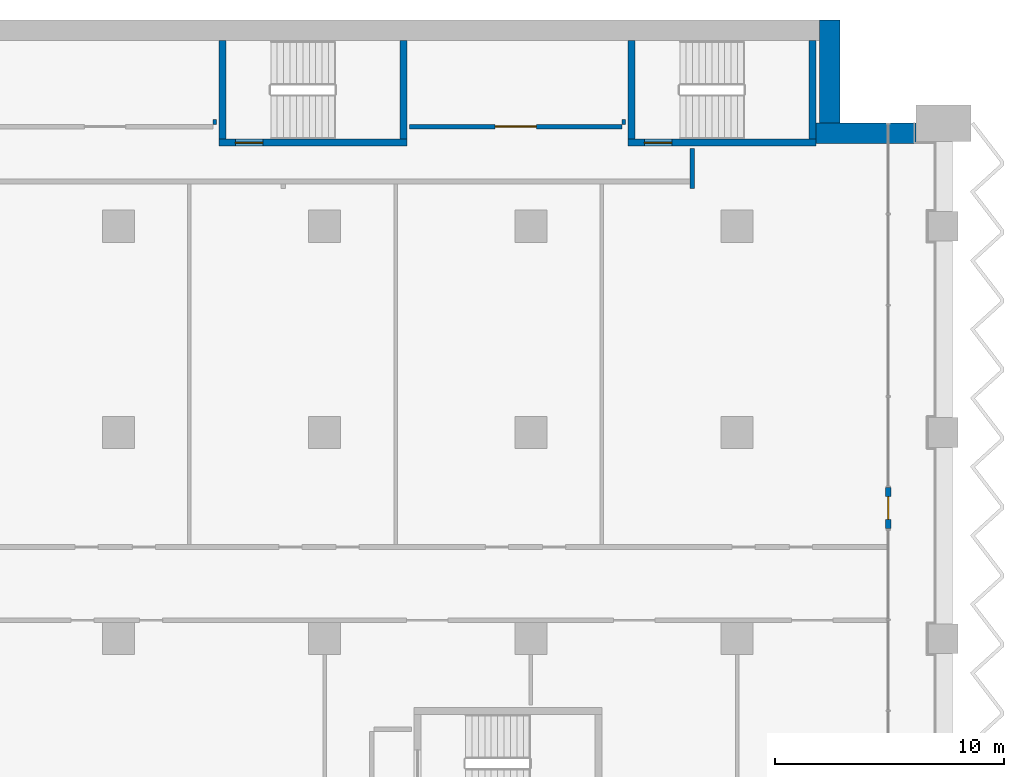
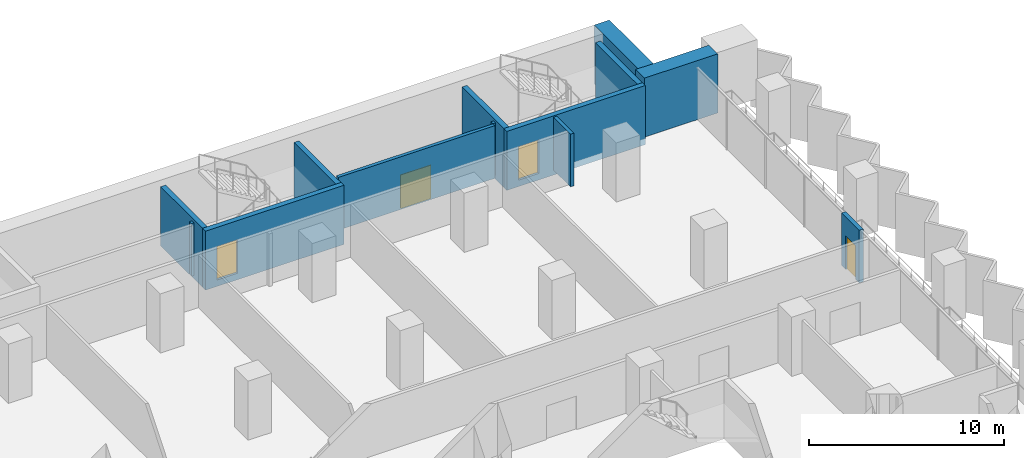
# One storey, part 19 of 29: 13 walls, 4 doors, 4 openings.
"""IFC4 building model written with IfcOpenShell, lengths in metres."""

from ifc_helpers import new_model, si_unit, direction, frame, frame_2d, origin, place, context, subcontext, project, spatial, rectangle, extrude, material, layer, layer_set, type_object, element, fill, save


model = new_model("IFC4")

# Units and contexts
model_context = context("Model", 3, precision=1e-05, world=origin(), true_north=direction((0.0, 1.0)))
body_context = subcontext(model_context, "Body", "Model", "MODEL_VIEW")
ifc_project = project(units=[si_unit("LENGTHUNIT", "METRE"), si_unit("AREAUNIT", "SQUARE_METRE"), si_unit("VOLUMEUNIT", "CUBIC_METRE"), si_unit("PLANEANGLEUNIT", "RADIAN"), si_unit("MASSUNIT", "GRAM", prefix="KILO")], contexts=[model_context])

# Site, building, storey
site_placement = place(None, origin())
site = spatial("IfcSite", under=ifc_project, at=site_placement, CompositionType="ELEMENT")
building_placement = place(site_placement, origin())
building = spatial("IfcBuilding", under=site, at=building_placement, Name="Hunhe Ridgeline Campus", CompositionType="ELEMENT")
storey_placement = place(building_placement, frame((0.0, 0.0, 46.89990234375)))
storey = spatial("IfcBuildingStorey", under=building, at=storey_placement, Name="L10", CompositionType="ELEMENT", Elevation=46.89990234375)

# Wall, opening, door
ifc_material_1 = material(Name="Gypsum board partition")
ifc_layer_1 = layer(ifc_material_1, 0.199951171875)
ifc_layer_set_1 = layer_set([ifc_layer_1], Name="Corridor partition 200 gypsum board on steel studs")
wall_type_1 = type_object("IfcWallType", Name="Corridor partition 200 gypsum board on steel studs", PredefinedType="PARTITIONING", material=ifc_layer_set_1)
wall_1_placement = place(storey_placement, frame((75.7041015625, 94.35009765625, 0.0), z_axis=(0.0, 0.0, 1.0), x_axis=(1.0, 0.0, 0.0)))
wall_1 = element("IfcWall", 1, at=wall_1_placement, inside=storey, type_object=wall_type_1, Name="F-L10-wall-054", PredefinedType="PARTITIONING", context=body_context, shape_type="SweptSolid", body=[
    extrude(rectangle(XDim=9.27099609375, YDim=0.199951171875, at=frame_2d((4.635498046875, 0.0))), origin(), (0.0, 0.0, 1.0), 3.300048828125),
])
opening_1_placement = place(wall_1_placement, frame((3.735595703125, 0.0, 0.0)))
opening_1 = element("IfcOpeningElement", 2, at=opening_1_placement, cuts=wall_1, Name="Opening RD2-049", PredefinedType="OPENING", context=body_context, shape_type="SweptSolid", body=[
    extrude(rectangle(XDim=1.800048828125, YDim=2.10009765625, at=frame_2d((0.89990234375, 1.050048828125))), frame((0.0, 0.10009765625, 0.0), z_axis=(0.0, -1.0, 0.0), x_axis=(1.0, 0.0, 0.0)), (0.0, 0.0, 1.0), 0.199951171875),
])
ifc_material_2 = material(Name="Timber door leaf", Category="wood")
door_type_1 = type_object("IfcDoorType", Name="Double fire door 1800x2100 timber FD60", OperationType="DOUBLE_DOOR_SINGLE_SWING", PredefinedType="DOOR", material=ifc_material_2)
door_1_placement = place(opening_1_placement, origin())
door_1 = element("IfcDoor", 3, at=door_1_placement, inside=storey, type_object=door_type_1, Name="F-L10-door-049", OperationType="DOUBLE_DOOR_SINGLE_SWING", OverallHeight=2.10009765625, OverallWidth=1.800048828125, PredefinedType="DOOR", context=body_context, shape_type="SweptSolid", body=[
    extrude(rectangle(XDim=1.800048828125, YDim=2.10009765625, at=frame_2d((0.89990234375, 1.050048828125))), frame((0.0, 0.02490234375, 0.0), z_axis=(0.0, -1.0, 0.0), x_axis=(1.0, 0.0, 0.0)), (0.0, 0.0, 1.0), 0.050048828125),
])
fill(opening_1, door_1)

# Wall
wall_2_placement = place(storey_placement, frame((88.050048828125, 93.39599609375, 0.0), z_axis=(0.0, 0.0, 1.0), x_axis=(0.0, -1.0, 0.0)))
element("IfcWall", 4, at=wall_2_placement, inside=storey, type_object=wall_type_1, Name="F-L10-wall-090", PredefinedType="PARTITIONING", context=body_context, shape_type="SweptSolid", body=[
    extrude(rectangle(XDim=1.74609375, YDim=0.199951171875, at=frame_2d((0.873046875, 0.0))), origin(), (0.0, 0.0, 1.0), 3.300048828125),
])

# Wall, opening, door
ifc_material_3 = material(Name="Concrete C30", Category="concrete")
ifc_layer_2 = layer(ifc_material_3, 0.25)
ifc_layer_set_2 = layer_set([ifc_layer_2], Name="Loggia door pier wall 250 Concrete C30")
wall_type_2 = type_object("IfcWallType", Name="Loggia door pier wall 250 Concrete C30", PredefinedType="SOLIDWALL", material=ifc_layer_set_2)
wall_3_placement = place(storey_placement, frame((96.59912109375, 76.800537109375, 0.0), z_axis=(0.0, 0.0, 1.0), x_axis=(0.0, 1.0, 0.0)))
wall_3 = element("IfcWall", 5, at=wall_3_placement, inside=storey, type_object=wall_type_2, Name="Loggia door pier 4", PredefinedType="SOLIDWALL", context=body_context, shape_type="SweptSolid", body=[
    extrude(rectangle(XDim=1.800048828125, YDim=0.25, at=frame_2d((0.89990234375, 0.0))), origin(), (0.0, 0.0, 1.0), 3.300048828125),
])
opening_2_placement = place(wall_3_placement, frame((0.39990234375, 0.0, 0.0)))
opening_2 = element("IfcOpeningElement", 6, at=opening_2_placement, cuts=wall_3, Name="Opening BD108", PredefinedType="OPENING", context=body_context, shape_type="SweptSolid", body=[
    extrude(rectangle(XDim=1.0, YDim=2.10009765625, at=frame_2d((0.5, 1.050048828125))), frame((0.0, 0.125, 0.0), z_axis=(0.0, -1.0, 0.0), x_axis=(1.0, 0.0, 0.0)), (0.0, 0.0, 1.0), 0.25),
])
ifc_material_4 = material(Name="Aluminium 6063", Category="aluminium")
door_type_2 = type_object("IfcDoorType", Name="Loggia glazed door 1000x2100", OperationType="NOTDEFINED", PredefinedType="DOOR", material=ifc_material_4)
door_2_placement = place(opening_2_placement, frame((1.0, 0.0, 0.0), z_axis=(0.0, 0.0, 1.0), x_axis=(-1.0, 0.0, 0.0)))
door_2 = element("IfcDoor", 7, at=door_2_placement, inside=storey, type_object=door_type_2, Name="Loggia door BD108", OperationType="SINGLE_SWING_LEFT", OverallHeight=2.10009765625, OverallWidth=1.0, PredefinedType="DOOR", context=body_context, shape_type="SweptSolid", body=[
    extrude(rectangle(XDim=1.0, YDim=2.10009765625, at=frame_2d((0.5, 1.050048828125))), frame((0.0, 0.02490234375, 0.0), z_axis=(0.0, -1.0, 0.0), x_axis=(1.0, 0.0, 0.0)), (0.0, 0.0, 1.0), 0.050048828125),
])
fill(opening_2, door_2)

# Walls
ifc_layer_3 = layer(ifc_material_1, 0.14990234375)
ifc_layer_set_3 = layer_set([ifc_layer_3], Name="Room partition 150 gypsum board on steel studs")
wall_type_3 = type_object("IfcWallType", Name="Room partition 150 gypsum board on steel studs", PredefinedType="PARTITIONING", material=ifc_layer_set_3)
for number, where, z_axis, x_axis, name in (
    (8, (67.199951171875, 94.64990234375, 0.0), (0.0, 0.0, 1.0), (0.0, -1.0, 0.0), "F-L10-wall-080"),
    (9, (85.050048828125, 94.64990234375, 0.0), (0.0, 0.0, 1.0), (0.0, -1.0, 0.0), "F-L10-wall-089"),
):
    element("IfcWall", number, at=place(storey_placement, frame(where, z_axis=z_axis, x_axis=x_axis)), inside=storey, type_object=wall_type_3, Name=name, PredefinedType="PARTITIONING", context=body_context, shape_type="SweptSolid", body=[
        extrude(rectangle(XDim=0.199951171875, YDim=0.14990234375, at=frame_2d((0.10009765625, 0.0))), origin(), (0.0, 0.0, 1.0), 3.300048828125),
    ])
ifc_material_5 = material(Name="Concrete C80", Category="concrete")
ifc_layer_4 = layer(ifc_material_5, 0.89990234375)
ifc_layer_set_4 = layer_set([ifc_layer_4], Name="Spine wall 900 Concrete C80")
wall_type_4 = type_object("IfcWallType", Name="Spine wall 900 Concrete C80", PredefinedType="SHEAR", material=ifc_layer_set_4)
wall_4_placement = place(storey_placement, frame((97.800048828125, 94.050048828125, 0.0), z_axis=(0.0, 0.0, 1.0), x_axis=(-1.0, 0.0, 0.0)))
element("IfcWall", 10, at=wall_4_placement, inside=storey, type_object=wall_type_4, Name="Spine wall SW1-2 L10", PredefinedType="SHEAR", context=body_context, shape_type="SweptSolid", body=[
    extrude(rectangle(XDim=4.3505859375, YDim=0.89990234375, at=frame_2d((2.17529296875, 0.0))), origin(), (0.0, 0.0, 1.0), 3.7001953125),
])
wall_5_placement = place(storey_placement, frame((94.050048828125, 93.60009765625, 0.0), z_axis=(0.0, 0.0, 1.0), x_axis=(0.0, 1.0, 0.0)))
element("IfcWall", 11, at=wall_5_placement, inside=storey, type_object=wall_type_4, Name="Spine wall SW1-3 L10", PredefinedType="SHEAR", context=body_context, shape_type="SweptSolid", body=[
    extrude(rectangle(XDim=5.39990234375, YDim=0.89990234375, at=frame_2d((2.699951171875, 0.0))), origin(), (0.0, 0.0, 1.0), 3.7001953125),
])

# Wall, opening, door
ifc_layer_5 = layer(ifc_material_5, 0.300048828125)
ifc_layer_set_5 = layer_set([ifc_layer_5], Name="Stair wall 300 reinforced concrete C80")
wall_type_5 = type_object("IfcWallType", Name="Stair wall 300 reinforced concrete C80", PredefinedType="SOLIDWALL", material=ifc_layer_set_5)
wall_6_placement = place(storey_placement, frame((67.39990234375, 93.64990234375, -0.39990234375), z_axis=(0.0, 0.0, 1.0), x_axis=(1.0, 0.0, 0.0)))
wall_6 = element("IfcWall", 12, at=wall_6_placement, inside=storey, type_object=wall_type_5, Name="L10 core wall 32", PredefinedType="SOLIDWALL", context=body_context, shape_type="SweptSolid", body=[
    extrude(rectangle(XDim=8.2001953125, YDim=0.300048828125, at=frame_2d((4.10009765625, 0.0))), origin(), (0.0, 0.0, 1.0), 3.699951171875),
])
opening_3_placement = place(wall_6_placement, frame((0.699951171875, 0.0, 0.39990234375)))
opening_3 = element("IfcOpeningElement", 13, at=opening_3_placement, cuts=wall_6, Name="Opening CD19", PredefinedType="OPENING", context=body_context, shape_type="SweptSolid", body=[
    extrude(rectangle(XDim=1.199951171875, YDim=2.10009765625, at=frame_2d((0.60009765625, 1.050048828125))), frame((0.0, 0.14990234375, 0.0), z_axis=(0.0, -1.0, 0.0), x_axis=(1.0, 0.0, 0.0)), (0.0, 0.0, 1.0), 0.300048828125),
])
ifc_material_6 = material(Name="Hollow metal fire door leaf")
door_type_3 = type_object("IfcDoorType", Name="Stair door 1200x2100 FD60", OperationType="SINGLE_SWING_LEFT", PredefinedType="DOOR", material=ifc_material_6)
door_3_placement = place(opening_3_placement, frame((1.199951171875, 0.0, 0.0), z_axis=(0.0, 0.0, 1.0), x_axis=(-1.0, 0.0, 0.0)))
door_3 = element("IfcDoor", 14, at=door_3_placement, inside=storey, type_object=door_type_3, Name="L10 door E3", OperationType="SINGLE_SWING_RIGHT", OverallHeight=2.10009765625, OverallWidth=1.199951171875, PredefinedType="DOOR", context=body_context, shape_type="SweptSolid", body=[
    extrude(rectangle(XDim=1.199951171875, YDim=2.10009765625, at=frame_2d((0.60009765625, 1.050048828125))), frame((0.0, 0.02490234375, 0.0), z_axis=(0.0, -1.0, 0.0), x_axis=(1.0, 0.0, 0.0)), (0.0, 0.0, 1.0), 0.050048828125),
])
fill(opening_3, door_3)

wall_7_placement = place(storey_placement, frame((85.25, 93.64990234375, -0.39990234375), z_axis=(0.0, 0.0, 1.0), x_axis=(1.0, 0.0, 0.0)))
wall_7 = element("IfcWall", 15, at=wall_7_placement, inside=storey, type_object=wall_type_5, Name="L10 core wall 33", PredefinedType="SOLIDWALL", context=body_context, shape_type="SweptSolid", body=[
    extrude(rectangle(XDim=8.199951171875, YDim=0.300048828125, at=frame_2d((4.10009765625, 0.0))), origin(), (0.0, 0.0, 1.0), 3.699951171875),
])
opening_4_placement = place(wall_7_placement, frame((0.699951171875, 0.0, 0.39990234375)))
opening_4 = element("IfcOpeningElement", 16, at=opening_4_placement, cuts=wall_7, Name="Opening CD20", PredefinedType="OPENING", context=body_context, shape_type="SweptSolid", body=[
    extrude(rectangle(XDim=1.199951171875, YDim=2.10009765625, at=frame_2d((0.60009765625, 1.050048828125))), frame((0.0, 0.14990234375, 0.0), z_axis=(0.0, -1.0, 0.0), x_axis=(1.0, 0.0, 0.0)), (0.0, 0.0, 1.0), 0.300048828125),
])
door_4_placement = place(opening_4_placement, frame((1.199951171875, 0.0, 0.0), z_axis=(0.0, 0.0, 1.0), x_axis=(-1.0, 0.0, 0.0)))
door_4 = element("IfcDoor", 17, at=door_4_placement, inside=storey, type_object=door_type_3, Name="L10 door E4", OperationType="SINGLE_SWING_LEFT", OverallHeight=2.10009765625, OverallWidth=1.199951171875, PredefinedType="DOOR", context=body_context, shape_type="SweptSolid", body=[
    extrude(rectangle(XDim=1.199951171875, YDim=2.10009765625, at=frame_2d((0.60009765625, 1.050048828125))), frame((0.0, 0.02490234375, 0.0), z_axis=(0.0, -1.0, 0.0), x_axis=(1.0, 0.0, 0.0)), (0.0, 0.0, 1.0), 0.050048828125),
])
fill(opening_4, door_4)

# Walls
for number, where, z_axis, x_axis, name in (
    (18, (67.550048828125, 93.800048828125, -0.39990234375), (0.0, 0.0, 1.0), (0.0, 1.0, 0.0), "L10 core wall 69"),
    (19, (75.449951171875, 93.800048828125, -0.39990234375), (0.0, 0.0, 1.0), (0.0, 1.0, 0.0), "L10 core wall 70"),
    (20, (85.39990234375, 93.800048828125, -0.39990234375), (0.0, 0.0, 1.0), (0.0, 1.0, 0.0), "L10 core wall 73"),
    (21, (93.300048828125, 93.800048828125, -0.39990234375), (0.0, 0.0, 1.0), (0.0, 1.0, 0.0), "L10 core wall 74"),
):
    element("IfcWall", number, at=place(storey_placement, frame(where, z_axis=z_axis, x_axis=x_axis)), inside=storey, type_object=wall_type_5, Name=name, PredefinedType="SOLIDWALL", context=body_context, shape_type="SweptSolid", body=[
        extrude(rectangle(XDim=4.300048828125, YDim=0.300048828125, at=frame_2d((2.14990234375, 0.0))), origin(), (0.0, 0.0, 1.0), 3.699951171875),
    ])

save(model, "model.ifc")
